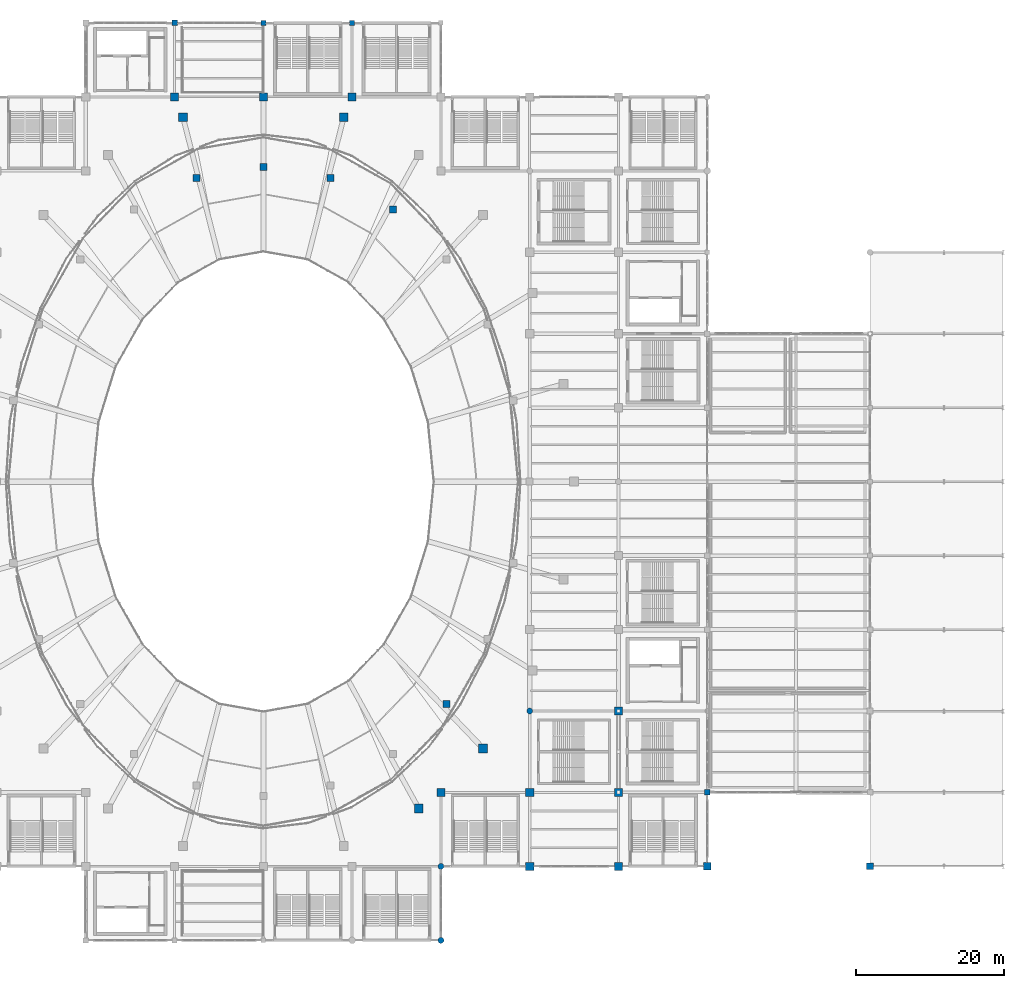
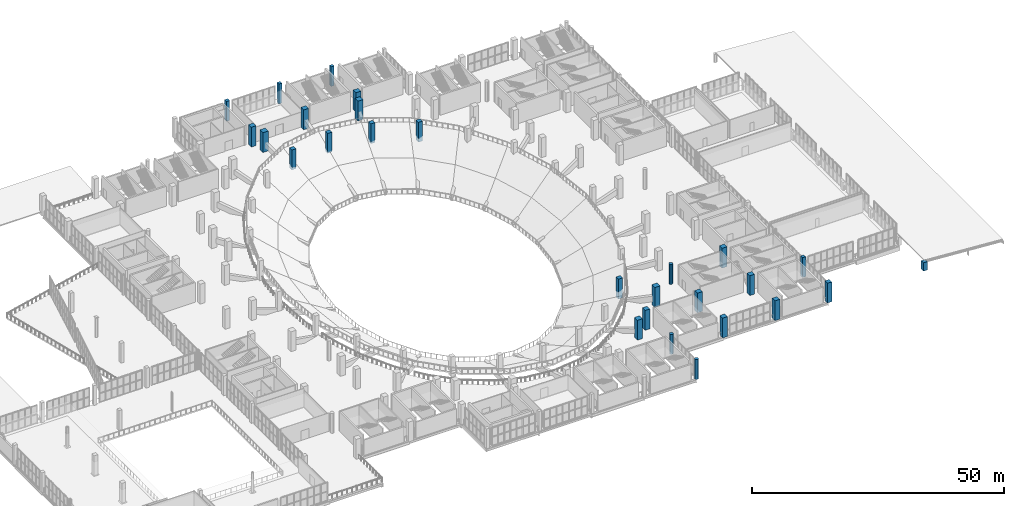
# One storey, part 7 of 136: 27 columns.
"""IFC4 building model written with IfcOpenShell, lengths in metres."""

from ifc_helpers import new_model, si_unit, direction, frame, origin, origin_2d, place, context, subcontext, project, spatial, rectangle, circle, extrude, material, material_profile, profile_set, type_object, element, save


model = new_model("IFC4")

# Units and contexts
model_context = context("Model", 3, precision=1e-05, world=origin(), true_north=direction((0.0, 1.0)))
body_context = subcontext(model_context, "Body", "Model", "MODEL_VIEW")
ifc_project = project(units=[si_unit("LENGTHUNIT", "METRE"), si_unit("AREAUNIT", "SQUARE_METRE"), si_unit("VOLUMEUNIT", "CUBIC_METRE"), si_unit("PLANEANGLEUNIT", "RADIAN"), si_unit("MASSUNIT", "GRAM", prefix="KILO")], contexts=[model_context])

# Site, building, storey
site_placement = place(None, origin())
site = spatial("IfcSite", under=ifc_project, at=site_placement, CompositionType="ELEMENT")
building_placement = place(site_placement, origin())
building = spatial("IfcBuilding", under=site, at=building_placement, Name="Brinegate Civic Arena", CompositionType="ELEMENT")
storey_placement = place(building_placement, frame((0.0, 0.0, 5.39990234375)))
storey = spatial("IfcBuildingStorey", under=building, at=storey_placement, Name="L01", CompositionType="ELEMENT", Elevation=5.39990234375)

# Columns
ifc_material = material(Name="Concrete C50/60", Category="concrete")
ifc_material_profile_1 = material_profile(ifc_material, rectangle(XDim=1.199951171875, YDim=1.199951171875, at=origin_2d()), Name="RC1200X1200")
ifc_profile_set_1 = profile_set([ifc_material_profile_1], Name="Concrete C50/60")
column_type_1 = type_object("IfcColumnType", Name="COL-CC01-1200", PredefinedType="COLUMN", material=ifc_profile_set_1)
for number, where, z_axis, x_axis, name in (
    (1, (118.8701171875, 111.261962890625, 0.0), (0.0, 0.0, 1.0), (1.0, 0.0, 0.0), "Bowl Raker Column OUT-06-L01"),
    (2, (97.1298828125, 111.261962890625, 0.0), (0.0, 0.0, 1.0), (1.0, 0.0, 0.0), "Bowl Raker Column OUT-08-L01"),
    (3, (129.0, 17.8330078125, 0.0), (0.0, 0.0, 1.0), (1.0, 0.0, 0.0), "Bowl Raker Column OUT-21-L01"),
    (4, (137.697998046875, 25.93798828125, 0.0), (0.0, 0.0, 1.0), (1.0, 0.0, 0.0), "Bowl Raker Column OUT-22-L01"),
):
    element("IfcColumn", number, at=place(storey_placement, frame(where, z_axis=z_axis, x_axis=x_axis)), inside=storey, type_object=column_type_1, Name=name, PredefinedType="COLUMN", context=body_context, shape_type="SweptSolid", body=[
        extrude(rectangle(XDim=1.199951171875, YDim=1.199951171875, at=origin_2d()), origin(), (0.0, 0.0, 1.0), 4.800048828125),
    ])
ifc_material_profile_2 = material_profile(ifc_material, rectangle(XDim=1.10009765625, YDim=1.10009765625, at=origin_2d()), Name="RC1100X1100")
ifc_profile_set_2 = profile_set([ifc_material_profile_2], Name="Concrete C50/60")
column_type_2 = type_object("IfcColumnType", Name="COL-CC02-1100", PredefinedType="COLUMN", material=ifc_profile_set_2)
for number, where, z_axis, x_axis, name in (
    (5, (96.0, 114.0, 0.0), (0.0, 0.0, 1.0), (1.0, 0.0, 0.0), "Column COL-L01-9-M"),
    (6, (108.0, 114.0, 0.0), (0.0, 0.0, 1.0), (1.0, 0.0, 0.0), "Column COL-L01-10-M"),
    (7, (120.0, 114.0, 0.0), (0.0, 0.0, 1.0), (1.0, 0.0, 0.0), "Column COL-L01-11-M"),
    (8, (132.0, 20.0, 0.0), (0.0, 0.0, 1.0), (1.0, 0.0, 0.0), "Column COL-L01-12-C"),
    (9, (144.0, 10.0, 0.0), (0.0, 0.0, 1.0), (1.0, 0.0, 0.0), "Column COL-L01-13-B"),
    (10, (144.0, 20.0, 0.0), (0.0, 0.0, 1.0), (1.0, 0.0, 0.0), "Column COL-L01-13-C"),
    (11, (156.0, 10.0, 0.0), (0.0, 0.0, 1.0), (1.0, 0.0, 0.0), "Column COL-L01-14-B"),
    (12, (156.0, 20.0, 0.0), (0.0, 0.0, 1.0), (1.0, 0.0, 0.0), "Column COL-L01-14-C"),
    (13, (156.0, 31.0, 0.0), (0.0, 0.0, 1.0), (1.0, 0.0, 0.0), "Column COL-L01-14-D"),
):
    element("IfcColumn", number, at=place(storey_placement, frame(where, z_axis=z_axis, x_axis=x_axis)), inside=storey, type_object=column_type_2, Name=name, PredefinedType="COLUMN", context=body_context, shape_type="SweptSolid", body=[
        extrude(rectangle(XDim=1.10009765625, YDim=1.10009765625, at=origin_2d()), origin(), (0.0, 0.0, 1.0), 4.800048828125),
    ])
ifc_material_profile_3 = material_profile(ifc_material, rectangle(XDim=1.0, YDim=1.0, at=origin_2d()), Name="RC1000X1000")
ifc_profile_set_3 = profile_set([ifc_material_profile_3], Name="Concrete C50/60")
column_type_3 = type_object("IfcColumnType", Name="COL-CC03-1000", PredefinedType="COLUMN", material=ifc_profile_set_3)
column_1_placement = place(storey_placement, frame((168.0, 10.0, 0.0), z_axis=(0.0, 0.0, 1.0), x_axis=(1.0, 0.0, 0.0)))
element("IfcColumn", 14, at=column_1_placement, inside=storey, type_object=column_type_3, Name="Column COL-L01-15-B", PredefinedType="COLUMN", context=body_context, shape_type="SweptSolid", body=[
    extrude(rectangle(XDim=1.0, YDim=1.0, at=origin_2d()), origin(), (0.0, 0.0, 1.0), 4.800048828125),
])
ifc_material_profile_4 = material_profile(ifc_material, rectangle(XDim=0.949951171875, YDim=0.949951171875, at=origin_2d()), Name="RC950X950")
ifc_profile_set_4 = profile_set([ifc_material_profile_4], Name="Concrete C50/60")
column_type_4 = type_object("IfcColumnType", Name="COL-CC04-950", PredefinedType="COLUMN", material=ifc_profile_set_4)
for number, where, z_axis, x_axis, name in (
    (15, (125.5, 98.805908203125, 0.0), (0.0, 0.0, 1.0), (1.0, 0.0, 0.0), "Upper Raker Inner Column UIN-05-L01"),
    (16, (117.05908203125, 103.052001953125, 0.0), (0.0, 0.0, 1.0), (1.0, 0.0, 0.0), "Upper Raker Inner Column UIN-06-L01"),
    (17, (108.0, 104.5, 0.0), (0.0, 0.0, 1.0), (1.0, 0.0, 0.0), "Upper Raker Inner Column UIN-07-L01"),
    (18, (98.94091796875, 103.052001953125, 0.0), (0.0, 0.0, 1.0), (1.0, 0.0, 0.0), "Upper Raker Inner Column UIN-08-L01"),
    (19, (132.7490234375, 31.947998046875, 0.0), (0.0, 0.0, 1.0), (1.0, 0.0, 0.0), "Upper Raker Inner Column UIN-22-L01"),
):
    element("IfcColumn", number, at=place(storey_placement, frame(where, z_axis=z_axis, x_axis=x_axis)), inside=storey, type_object=column_type_4, Name=name, PredefinedType="COLUMN", context=body_context, shape_type="SweptSolid", body=[
        extrude(rectangle(XDim=0.949951171875, YDim=0.949951171875, at=origin_2d()), origin(), (0.0, 0.0, 1.0), 4.800048828125),
    ])
ifc_material_profile_5 = material_profile(ifc_material, rectangle(XDim=0.89990234375, YDim=0.89990234375, at=origin_2d()), Name="RC900X900")
ifc_profile_set_5 = profile_set([ifc_material_profile_5], Name="Concrete C50/60")
column_type_5 = type_object("IfcColumnType", Name="COL-CC05-900", PredefinedType="COLUMN", material=ifc_profile_set_5)
column_2_placement = place(storey_placement, frame((190.0, 10.0, 0.0), z_axis=(0.0, 0.0, 1.0), x_axis=(1.0, 0.0, 0.0)))
element("IfcColumn", 20, at=column_2_placement, inside=storey, type_object=column_type_5, Name="Column COL-L01-17-B", PredefinedType="COLUMN", context=body_context, shape_type="SweptSolid", body=[
    extrude(rectangle(XDim=0.89990234375, YDim=0.89990234375, at=origin_2d()), origin(), (0.0, 0.0, 1.0), 2.0),
])
ifc_material_profile_6 = material_profile(ifc_material, rectangle(XDim=0.75, YDim=0.75, at=origin_2d()), Name="RC750X750")
ifc_profile_set_6 = profile_set([ifc_material_profile_6], Name="Concrete C50/60")
column_type_6 = type_object("IfcColumnType", Name="COL-CC08-750", PredefinedType="COLUMN", material=ifc_profile_set_6)
for number, where, z_axis, x_axis, name in (
    (21, (96.0, 124.0, 0.0), (0.0, 0.0, 1.0), (1.0, 0.0, 0.0), "Column COL-L01-9-N"),
    (22, (168.0, 20.0, 0.0), (0.0, 0.0, 1.0), (1.0, 0.0, 0.0), "Column COL-L01-15-C"),
):
    element("IfcColumn", number, at=place(storey_placement, frame(where, z_axis=z_axis, x_axis=x_axis)), inside=storey, type_object=column_type_6, Name=name, PredefinedType="COLUMN", context=body_context, shape_type="SweptSolid", body=[
        extrude(rectangle(XDim=0.75, YDim=0.75, at=origin_2d()), origin(), (0.0, 0.0, 1.0), 4.800048828125),
    ])
ifc_material_profile_7 = material_profile(ifc_material, rectangle(XDim=0.699951171875, YDim=0.699951171875, at=origin_2d()), Name="RC700X700")
ifc_profile_set_7 = profile_set([ifc_material_profile_7], Name="Concrete C50/60")
column_type_7 = type_object("IfcColumnType", Name="COL-CC09-700", PredefinedType="COLUMN", material=ifc_profile_set_7)
column_3_placement = place(storey_placement, frame((108.0, 124.0, 0.0), z_axis=(0.0, 0.0, 1.0), x_axis=(1.0, 0.0, 0.0)))
element("IfcColumn", 23, at=column_3_placement, inside=storey, type_object=column_type_7, Name="Column COL-L01-10-N", PredefinedType="COLUMN", context=body_context, shape_type="SweptSolid", body=[
    extrude(rectangle(XDim=0.699951171875, YDim=0.699951171875, at=origin_2d()), origin(), (0.0, 0.0, 1.0), 4.800048828125),
])
ifc_material_profile_8 = material_profile(ifc_material, rectangle(XDim=0.64990234375, YDim=0.64990234375, at=origin_2d()), Name="RC650X650")
ifc_profile_set_8 = profile_set([ifc_material_profile_8], Name="Concrete C50/60")
column_type_8 = type_object("IfcColumnType", Name="COL-CC10-650", PredefinedType="COLUMN", material=ifc_profile_set_8)
column_4_placement = place(storey_placement, frame((120.0, 124.0, 0.0), z_axis=(0.0, 0.0, 1.0), x_axis=(1.0, 0.0, 0.0)))
element("IfcColumn", 24, at=column_4_placement, inside=storey, type_object=column_type_8, Name="Column COL-L01-11-N", PredefinedType="COLUMN", context=body_context, shape_type="SweptSolid", body=[
    extrude(rectangle(XDim=0.64990234375, YDim=0.64990234375, at=origin_2d()), origin(), (0.0, 0.0, 1.0), 4.800048828125),
])
ifc_material_profile_9 = material_profile(ifc_material, circle(Radius=0.39990234375, at=origin_2d()), Name="RCD800")
ifc_profile_set_9 = profile_set([ifc_material_profile_9], Name="Concrete C50/60")
column_type_9 = type_object("IfcColumnType", Name="COL-CC13-D800", PredefinedType="COLUMN", material=ifc_profile_set_9)
for number, where, z_axis, x_axis, name in (
    (25, (132.0, 0.0, 0.0), (0.0, 0.0, 1.0), (1.0, 0.0, 0.0), "Column COL-L01-12-A"),
    (26, (132.0, 10.0, 0.0), (0.0, 0.0, 1.0), (1.0, 0.0, 0.0), "Column COL-L01-12-B"),
    (27, (144.0, 31.0, 0.0), (0.0, 0.0, 1.0), (1.0, 0.0, 0.0), "Column COL-L01-13-D"),
):
    element("IfcColumn", number, at=place(storey_placement, frame(where, z_axis=z_axis, x_axis=x_axis)), inside=storey, type_object=column_type_9, Name=name, PredefinedType="COLUMN", context=body_context, shape_type="SweptSolid", body=[
        extrude(circle(Radius=0.39990234375, at=origin_2d()), origin(), (0.0, 0.0, 1.0), 4.800048828125),
    ])

save(model, "model.ifc")
